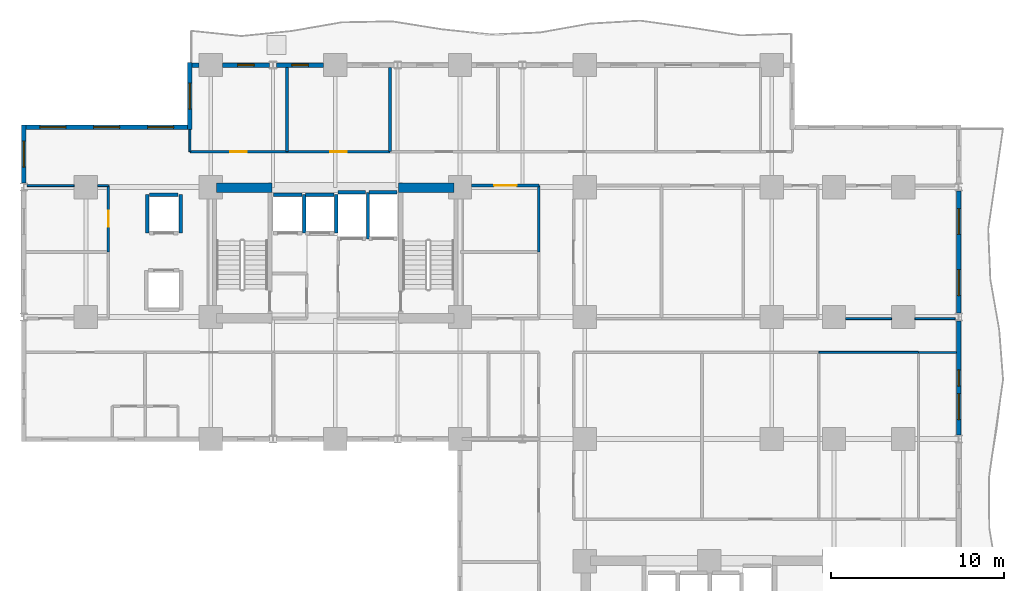
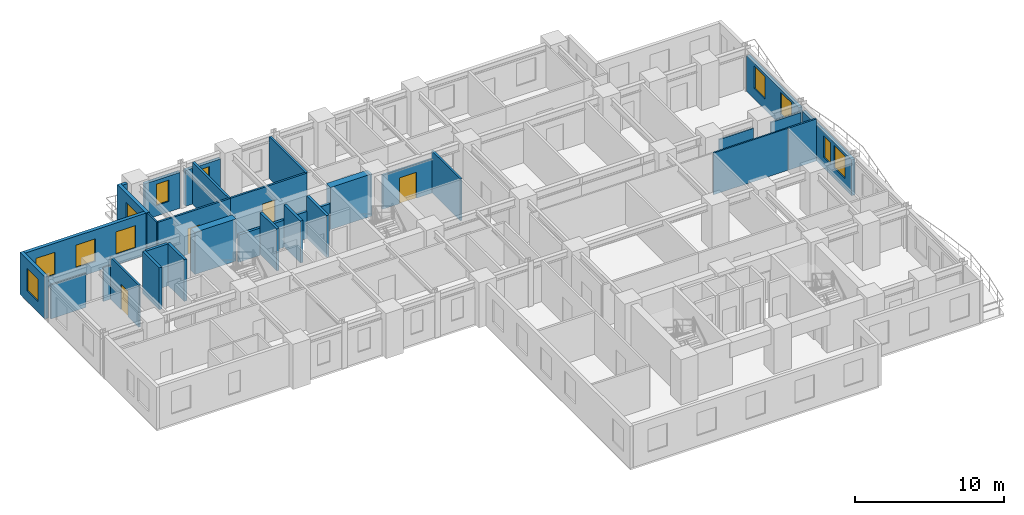
# One storey, part 6 of 11: 34 walls, 11 windows, 4 doors, 15 openings.
"""IFC4 building model written with IfcOpenShell, lengths in metres."""

from ifc_helpers import new_model, si_unit, direction, frame, frame_2d, origin, place, context, subcontext, project, spatial, rectangle, extrude, material, layer, layer_set, type_object, element, fill, save


model = new_model("IFC4")

# Units and contexts
model_context = context("Model", 3, precision=1e-05, world=origin(), true_north=direction((0.0, 1.0)))
body_context = subcontext(model_context, "Body", "Model", "MODEL_VIEW")
ifc_project = project(units=[si_unit("LENGTHUNIT", "METRE"), si_unit("AREAUNIT", "SQUARE_METRE"), si_unit("VOLUMEUNIT", "CUBIC_METRE"), si_unit("PLANEANGLEUNIT", "RADIAN"), si_unit("MASSUNIT", "GRAM", prefix="KILO")], contexts=[model_context])

# Site, building, storey
site_placement = place(None, origin())
site = spatial("IfcSite", under=ifc_project, at=site_placement, CompositionType="ELEMENT")
building_placement = place(site_placement, origin())
building = spatial("IfcBuilding", under=site, at=building_placement, Name="Kaliganga Portal Commons", CompositionType="ELEMENT")
storey_placement = place(building_placement, frame((0.0, 0.0, 54.89990234375)))
storey = spatial("IfcBuildingStorey", under=building, at=storey_placement, Name="L13", CompositionType="ELEMENT", Elevation=54.89990234375)

# Walls
ifc_material_1 = material(Name="Concrete C60/75", Category="concrete")
ifc_layer_1 = layer(ifc_material_1, 0.550048828125)
ifc_layer_set_1 = layer_set([ifc_layer_1], Name="Concrete C60/75")
wall_type_1 = type_object("IfcWallType", Name="WL-CORE-550", PredefinedType="SHEAR", material=ifc_layer_set_1)
for number, where, z_axis, x_axis, name in (
    (1, (14.75, 36.125, 0.0), (0.0, 0.0, 1.0), (1.0, 0.0, 0.0), "Core A N-West Shear Wall L13"),
    (2, (25.25, 36.125, 0.0), (0.0, 0.0, 1.0), (1.0, 0.0, 0.0), "Core A N-East Shear Wall L13"),
):
    element("IfcWall", number, at=place(storey_placement, frame(where, z_axis=z_axis, x_axis=x_axis)), inside=storey, type_object=wall_type_1, Name=name, PredefinedType="SHEAR", context=body_context, shape_type="SweptSolid", body=[
        extrude(rectangle(XDim=3.199951171875, YDim=0.550048828125, at=frame_2d((1.60009765625, 0.0))), origin(), (0.0, 0.0, 1.0), 3.4501953125),
    ])

# Wall, openings, windows
ifc_material_2 = material(Name="Insulated Aluminium-Clad Spandrel Assembly", Category="aluminium")
ifc_layer_2 = layer(ifc_material_2, 0.260009765625)
ifc_layer_set_2 = layer_set([ifc_layer_2], Name="Insulated Aluminium-Clad Spandrel Assembly")
wall_type_2 = type_object("IfcWallType", Name="WL-EXT-SPAND-260", PredefinedType="STANDARD", material=ifc_layer_set_2)
wall_1_placement = place(storey_placement, frame((57.60009765625, 28.426025390625, 0.0), z_axis=(0.0, 0.0, 1.0), x_axis=(0.0, -1.0, 0.0)))
wall_1 = element("IfcWall", 3, at=wall_1_placement, inside=storey, type_object=wall_type_2, Name="Exterior Envelope Wall L13 P1-E03-S4", PredefinedType="STANDARD", context=body_context, shape_type="SweptSolid", body=[
    extrude(rectangle(XDim=6.60205078125, YDim=0.260009765625, at=frame_2d((3.301025390625, 0.0))), origin(), (0.0, 0.0, 1.0), 2.93017578125),
])
opening_1_placement = place(wall_1_placement, frame((4.201416015625, 0.0, 0.85009765625)))
opening_1 = element("IfcOpeningElement", 4, at=opening_1_placement, cuts=wall_1, Name="Opening W-02", PredefinedType="OPENING", context=body_context, shape_type="SweptSolid", body=[
    extrude(rectangle(XDim=1.5, YDim=1.85009765625, at=frame_2d((0.75, 0.925048828125))), frame((0.0, 0.14013671875, 0.0), z_axis=(0.0, -1.0, 0.0), x_axis=(1.0, 0.0, 0.0)), (0.0, 0.0, 1.0), 0.280029296875),
])
opening_2_placement = place(wall_1_placement, frame((2.825927734375, 0.0, 0.85009765625)))
opening_2 = element("IfcOpeningElement", 5, at=opening_2_placement, cuts=wall_1, Name="Opening W-04", PredefinedType="OPENING", context=body_context, shape_type="SweptSolid", body=[
    extrude(rectangle(XDim=0.949951171875, YDim=1.75, at=frame_2d((0.47509765625, 0.875))), frame((0.0, 0.14013671875, 0.0), z_axis=(0.0, -1.0, 0.0), x_axis=(1.0, 0.0, 0.0)), (0.0, 0.0, 1.0), 0.280029296875),
])
ifc_material_3 = material(Name="Thermally Broken Aluminium and Low-E Double Glazing", Category="aluminium")
window_type_1 = type_object("IfcWindowType", Name="WIN-NARROW-950", PartitioningType="SINGLE_PANEL", PredefinedType="WINDOW", material=ifc_material_3)
window_1_placement = place(opening_2_placement, origin())
window_1 = element("IfcWindow", 6, at=window_1_placement, inside=storey, type_object=window_type_1, Name="Facade Window L13-P1E03S4-N0", OverallHeight=1.75, OverallWidth=0.949951171875, PartitioningType="SINGLE_PANEL", PredefinedType="WINDOW", context=body_context, shape_type="SweptSolid", body=[
    extrude(rectangle(XDim=0.949951171875, YDim=1.75, at=frame_2d((0.47509765625, 0.875))), frame((0.0, 0.030029296875, 0.0), z_axis=(0.0, -1.0, 0.0), x_axis=(1.0, 0.0, 0.0)), (0.0, 0.0, 1.0), 0.06005859375),
])
fill(opening_2, window_1)
window_type_2 = type_object("IfcWindowType", Name="WIN-STD-1500", PartitioningType="DOUBLE_PANEL_VERTICAL", PredefinedType="WINDOW", material=ifc_material_3)
window_2_placement = place(opening_1_placement, origin())
window_2 = element("IfcWindow", 7, at=window_2_placement, inside=storey, type_object=window_type_2, Name="Facade Window L13-P1E03S4-01", OverallHeight=1.85009765625, OverallWidth=1.5, PartitioningType="SINGLE_PANEL", PredefinedType="WINDOW", context=body_context, shape_type="SweptSolid", body=[
    extrude(rectangle(XDim=1.5, YDim=1.85009765625, at=frame_2d((0.75, 0.925048828125))), frame((0.0, 0.030029296875, 0.0), z_axis=(0.0, -1.0, 0.0), x_axis=(1.0, 0.0, 0.0)), (0.0, 0.0, 1.0), 0.06005859375),
])
fill(opening_1, window_2)

wall_2_placement = place(storey_placement, frame((57.60009765625, 35.926025390625, 0.0), z_axis=(0.0, 0.0, 1.0), x_axis=(0.0, -1.0, 0.0)))
wall_2 = element("IfcWall", 8, at=wall_2_placement, inside=storey, type_object=wall_type_2, Name="Exterior Envelope Wall L13 P1-E03-S5", PredefinedType="STANDARD", context=body_context, shape_type="SweptSolid", body=[
    extrude(rectangle(XDim=7.052001953125, YDim=0.260009765625, at=frame_2d((3.52587890625, 0.0))), origin(), (0.0, 0.0, 1.0), 2.93017578125),
])
opening_3_placement = place(wall_2_placement, frame((1.012939453125, 0.0, 0.85009765625)))
opening_3 = element("IfcOpeningElement", 9, at=opening_3_placement, cuts=wall_2, Name="Opening W-02", PredefinedType="OPENING", context=body_context, shape_type="SweptSolid", body=[
    extrude(rectangle(XDim=1.5, YDim=1.85009765625, at=frame_2d((0.75, 0.925048828125))), frame((0.0, 0.14013671875, 0.0), z_axis=(0.0, -1.0, 0.0), x_axis=(1.0, 0.0, 0.0)), (0.0, 0.0, 1.0), 0.280029296875),
])
opening_4_placement = place(wall_2_placement, frame((4.5390625, 0.0, 0.85009765625)))
opening_4 = element("IfcOpeningElement", 10, at=opening_4_placement, cuts=wall_2, Name="Opening W-02", PredefinedType="OPENING", context=body_context, shape_type="SweptSolid", body=[
    extrude(rectangle(XDim=1.5, YDim=1.85009765625, at=frame_2d((0.75, 0.925048828125))), frame((0.0, 0.14013671875, 0.0), z_axis=(0.0, -1.0, 0.0), x_axis=(1.0, 0.0, 0.0)), (0.0, 0.0, 1.0), 0.280029296875),
])
window_3_placement = place(opening_3_placement, origin())
window_3 = element("IfcWindow", 11, at=window_3_placement, inside=storey, type_object=window_type_2, Name="Facade Window L13-P1E03S5-00", OverallHeight=1.85009765625, OverallWidth=1.5, PartitioningType="SINGLE_PANEL", PredefinedType="WINDOW", context=body_context, shape_type="SweptSolid", body=[
    extrude(rectangle(XDim=1.5, YDim=1.85009765625, at=frame_2d((0.75, 0.925048828125))), frame((0.0, 0.030029296875, 0.0), z_axis=(0.0, -1.0, 0.0), x_axis=(1.0, 0.0, 0.0)), (0.0, 0.0, 1.0), 0.06005859375),
])
fill(opening_3, window_3)
window_4_placement = place(opening_4_placement, origin())
window_4 = element("IfcWindow", 12, at=window_4_placement, inside=storey, type_object=window_type_2, Name="Facade Window L13-P1E03S5-01", OverallHeight=1.85009765625, OverallWidth=1.5, PartitioningType="SINGLE_PANEL", PredefinedType="WINDOW", context=body_context, shape_type="SweptSolid", body=[
    extrude(rectangle(XDim=1.5, YDim=1.85009765625, at=frame_2d((0.75, 0.925048828125))), frame((0.0, 0.030029296875, 0.0), z_axis=(0.0, -1.0, 0.0), x_axis=(1.0, 0.0, 0.0)), (0.0, 0.0, 1.0), 0.06005859375),
])
fill(opening_4, window_4)

# Wall, opening, window
wall_3_placement = place(storey_placement, frame((18.208984375, 43.199951171875, 0.0), z_axis=(0.0, 0.0, 1.0), x_axis=(1.0, 0.0, 0.0)))
wall_3 = element("IfcWall", 13, at=wall_3_placement, inside=storey, type_object=wall_type_2, Name="Exterior Envelope Wall L13 P1-E06-S7", PredefinedType="STANDARD", context=body_context, shape_type="SweptSolid", body=[
    extrude(rectangle(XDim=2.715087890625, YDim=0.260009765625, at=frame_2d((1.357421875, 0.0))), origin(), (0.0, 0.0, 1.0), 2.93017578125),
])
opening_5_placement = place(wall_3_placement, frame((0.882568359375, 0.0, 0.85009765625)))
opening_5 = element("IfcOpeningElement", 14, at=opening_5_placement, cuts=wall_3, Name="Opening W-04", PredefinedType="OPENING", context=body_context, shape_type="SweptSolid", body=[
    extrude(rectangle(XDim=0.949951171875, YDim=1.75, at=frame_2d((0.47509765625, 0.875))), frame((0.0, 0.14013671875, 0.0), z_axis=(0.0, -1.0, 0.0), x_axis=(1.0, 0.0, 0.0)), (0.0, 0.0, 1.0), 0.280029296875),
])
window_5_placement = place(opening_5_placement, origin())
window_5 = element("IfcWindow", 15, at=window_5_placement, inside=storey, type_object=window_type_1, Name="Facade Window L13-P1E06S7-00", OverallHeight=1.75, OverallWidth=0.949951171875, PartitioningType="SINGLE_PANEL", PredefinedType="WINDOW", context=body_context, shape_type="SweptSolid", body=[
    extrude(rectangle(XDim=0.949951171875, YDim=1.75, at=frame_2d((0.47509765625, 0.875))), frame((0.0, 0.030029296875, 0.0), z_axis=(0.0, -1.0, 0.0), x_axis=(1.0, 0.0, 0.0)), (0.0, 0.0, 1.0), 0.06005859375),
])
fill(opening_5, window_5)

wall_4_placement = place(storey_placement, frame((15.075927734375, 43.199951171875, 0.0), z_axis=(0.0, 0.0, 1.0), x_axis=(1.0, 0.0, 0.0)))
wall_4 = element("IfcWall", 16, at=wall_4_placement, inside=storey, type_object=wall_type_2, Name="Exterior Envelope Wall L13 P1-E06-S8", PredefinedType="STANDARD", context=body_context, shape_type="SweptSolid", body=[
    extrude(rectangle(XDim=2.715087890625, YDim=0.260009765625, at=frame_2d((1.357421875, 0.0))), origin(), (0.0, 0.0, 1.0), 2.93017578125),
])
opening_6_placement = place(wall_4_placement, frame((0.882568359375, 0.0, 0.85009765625)))
opening_6 = element("IfcOpeningElement", 17, at=opening_6_placement, cuts=wall_4, Name="Opening W-04", PredefinedType="OPENING", context=body_context, shape_type="SweptSolid", body=[
    extrude(rectangle(XDim=0.949951171875, YDim=1.75, at=frame_2d((0.47509765625, 0.875))), frame((0.0, 0.14013671875, 0.0), z_axis=(0.0, -1.0, 0.0), x_axis=(1.0, 0.0, 0.0)), (0.0, 0.0, 1.0), 0.280029296875),
])
window_6_placement = place(opening_6_placement, origin())
window_6 = element("IfcWindow", 18, at=window_6_placement, inside=storey, type_object=window_type_1, Name="Facade Window L13-P1E06S8-00", OverallHeight=1.75, OverallWidth=0.949951171875, PartitioningType="SINGLE_PANEL", PredefinedType="WINDOW", context=body_context, shape_type="SweptSolid", body=[
    extrude(rectangle(XDim=0.949951171875, YDim=1.75, at=frame_2d((0.47509765625, 0.875))), frame((0.0, 0.030029296875, 0.0), z_axis=(0.0, -1.0, 0.0), x_axis=(1.0, 0.0, 0.0)), (0.0, 0.0, 1.0), 0.06005859375),
])
fill(opening_6, window_6)

# Wall
wall_5_placement = place(storey_placement, frame((13.3349609375, 43.199951171875, 0.0), z_axis=(0.0, 0.0, 1.0), x_axis=(1.0, 0.0, 0.0)))
element("IfcWall", 19, at=wall_5_placement, inside=storey, type_object=wall_type_2, Name="Exterior Envelope Wall L13 P1-E06-S9", PredefinedType="STANDARD", context=body_context, shape_type="SweptSolid", body=[
    extrude(rectangle(XDim=0.38916015625, YDim=0.260009765625, at=frame_2d((0.194580078125, 0.0))), origin(), (0.0, 0.0, 1.0), 3.43017578125),
])

# Wall, opening, window
wall_6_placement = place(storey_placement, frame((13.199951171875, 39.469970703125, 0.0), z_axis=(0.0, 0.0, 1.0), x_axis=(0.0, 1.0, 0.0)))
wall_6 = element("IfcWall", 20, at=wall_6_placement, inside=storey, type_object=wall_type_2, Name="Exterior Envelope Wall L13 P1-E07-S1", PredefinedType="STANDARD", context=body_context, shape_type="SweptSolid", body=[
    extrude(rectangle(XDim=3.860107421875, YDim=0.260009765625, at=frame_2d((1.93017578125, 0.0))), origin(), (0.0, 0.0, 1.0), 3.43017578125),
])
opening_7_placement = place(wall_6_placement, frame((1.179931640625, 0.0, 0.85009765625)))
opening_7 = element("IfcOpeningElement", 21, at=opening_7_placement, cuts=wall_6, Name="Opening W-02", PredefinedType="OPENING", context=body_context, shape_type="SweptSolid", body=[
    extrude(rectangle(XDim=1.5, YDim=1.85009765625, at=frame_2d((0.75, 0.925048828125))), frame((0.0, 0.14013671875, 0.0), z_axis=(0.0, -1.0, 0.0), x_axis=(1.0, 0.0, 0.0)), (0.0, 0.0, 1.0), 0.280029296875),
])
window_7_placement = place(opening_7_placement, origin())
window_7 = element("IfcWindow", 22, at=window_7_placement, inside=storey, type_object=window_type_2, Name="Facade Window L13-P1E07S1-00", OverallHeight=1.85009765625, OverallWidth=1.5, PartitioningType="SINGLE_PANEL", PredefinedType="WINDOW", context=body_context, shape_type="SweptSolid", body=[
    extrude(rectangle(XDim=1.5, YDim=1.85009765625, at=frame_2d((0.75, 0.925048828125))), frame((0.0, 0.030029296875, 0.0), z_axis=(0.0, -1.0, 0.0), x_axis=(1.0, 0.0, 0.0)), (0.0, 0.0, 1.0), 0.06005859375),
])
fill(opening_7, window_7)

# Wall, openings, windows
wall_7_placement = place(storey_placement, frame((3.735107421875, 39.60009765625, 0.0), z_axis=(0.0, 0.0, 1.0), x_axis=(1.0, 0.0, 0.0)))
wall_7 = element("IfcWall", 23, at=wall_7_placement, inside=storey, type_object=wall_type_2, Name="Exterior Envelope Wall L13 P1-E08-S1", PredefinedType="STANDARD", context=body_context, shape_type="SweptSolid", body=[
    extrude(rectangle(XDim=9.329833984375, YDim=0.260009765625, at=frame_2d((4.6650390625, 0.0))), origin(), (0.0, 0.0, 1.0), 3.43017578125),
])
opening_8_placement = place(wall_7_placement, frame((0.804931640625, 0.0, 0.85009765625)))
opening_8 = element("IfcOpeningElement", 24, at=opening_8_placement, cuts=wall_7, Name="Opening W-02", PredefinedType="OPENING", context=body_context, shape_type="SweptSolid", body=[
    extrude(rectangle(XDim=1.5, YDim=1.85009765625, at=frame_2d((0.75, 0.925048828125))), frame((0.0, 0.14013671875, 0.0), z_axis=(0.0, -1.0, 0.0), x_axis=(1.0, 0.0, 0.0)), (0.0, 0.0, 1.0), 0.280029296875),
])
opening_9_placement = place(wall_7_placement, frame((3.9150390625, 0.0, 0.85009765625)))
opening_9 = element("IfcOpeningElement", 25, at=opening_9_placement, cuts=wall_7, Name="Opening W-02", PredefinedType="OPENING", context=body_context, shape_type="SweptSolid", body=[
    extrude(rectangle(XDim=1.5, YDim=1.85009765625, at=frame_2d((0.75, 0.925048828125))), frame((0.0, 0.14013671875, 0.0), z_axis=(0.0, -1.0, 0.0), x_axis=(1.0, 0.0, 0.0)), (0.0, 0.0, 1.0), 0.280029296875),
])
opening_10_placement = place(wall_7_placement, frame((7.02490234375, 0.0, 0.85009765625)))
opening_10 = element("IfcOpeningElement", 26, at=opening_10_placement, cuts=wall_7, Name="Opening W-02", PredefinedType="OPENING", context=body_context, shape_type="SweptSolid", body=[
    extrude(rectangle(XDim=1.5, YDim=1.85009765625, at=frame_2d((0.75, 0.925048828125))), frame((0.0, 0.14013671875, 0.0), z_axis=(0.0, -1.0, 0.0), x_axis=(1.0, 0.0, 0.0)), (0.0, 0.0, 1.0), 0.280029296875),
])
window_8_placement = place(opening_8_placement, origin())
window_8 = element("IfcWindow", 27, at=window_8_placement, inside=storey, type_object=window_type_2, Name="Facade Window L13-P1E08S1-00", OverallHeight=1.85009765625, OverallWidth=1.5, PartitioningType="SINGLE_PANEL", PredefinedType="WINDOW", context=body_context, shape_type="SweptSolid", body=[
    extrude(rectangle(XDim=1.5, YDim=1.85009765625, at=frame_2d((0.75, 0.925048828125))), frame((0.0, 0.030029296875, 0.0), z_axis=(0.0, -1.0, 0.0), x_axis=(1.0, 0.0, 0.0)), (0.0, 0.0, 1.0), 0.06005859375),
])
fill(opening_8, window_8)
window_9_placement = place(opening_9_placement, origin())
window_9 = element("IfcWindow", 28, at=window_9_placement, inside=storey, type_object=window_type_2, Name="Facade Window L13-P1E08S1-01", OverallHeight=1.85009765625, OverallWidth=1.5, PartitioningType="SINGLE_PANEL", PredefinedType="WINDOW", context=body_context, shape_type="SweptSolid", body=[
    extrude(rectangle(XDim=1.5, YDim=1.85009765625, at=frame_2d((0.75, 0.925048828125))), frame((0.0, 0.030029296875, 0.0), z_axis=(0.0, -1.0, 0.0), x_axis=(1.0, 0.0, 0.0)), (0.0, 0.0, 1.0), 0.06005859375),
])
fill(opening_9, window_9)
window_10_placement = place(opening_10_placement, origin())
window_10 = element("IfcWindow", 29, at=window_10_placement, inside=storey, type_object=window_type_2, Name="Facade Window L13-P1E08S1-02", OverallHeight=1.85009765625, OverallWidth=1.5, PartitioningType="SINGLE_PANEL", PredefinedType="WINDOW", context=body_context, shape_type="SweptSolid", body=[
    extrude(rectangle(XDim=1.5, YDim=1.85009765625, at=frame_2d((0.75, 0.925048828125))), frame((0.0, 0.030029296875, 0.0), z_axis=(0.0, -1.0, 0.0), x_axis=(1.0, 0.0, 0.0)), (0.0, 0.0, 1.0), 0.06005859375),
])
fill(opening_10, window_10)

# Wall, opening, window
wall_8_placement = place(storey_placement, frame((3.60009765625, 36.3740234375, 0.0), z_axis=(0.0, 0.0, 1.0), x_axis=(0.0, 1.0, 0.0)))
wall_8 = element("IfcWall", 30, at=wall_8_placement, inside=storey, type_object=wall_type_2, Name="Exterior Envelope Wall L13 P1-E09-S1", PredefinedType="STANDARD", context=body_context, shape_type="SweptSolid", body=[
    extrude(rectangle(XDim=3.35595703125, YDim=0.260009765625, at=frame_2d((1.677978515625, 0.0))), origin(), (0.0, 0.0, 1.0), 3.43017578125),
])
opening_11_placement = place(wall_8_placement, frame((0.927978515625, 0.0, 0.85009765625)))
opening_11 = element("IfcOpeningElement", 31, at=opening_11_placement, cuts=wall_8, Name="Opening W-02", PredefinedType="OPENING", context=body_context, shape_type="SweptSolid", body=[
    extrude(rectangle(XDim=1.5, YDim=1.85009765625, at=frame_2d((0.75, 0.925048828125))), frame((0.0, 0.14013671875, 0.0), z_axis=(0.0, -1.0, 0.0), x_axis=(1.0, 0.0, 0.0)), (0.0, 0.0, 1.0), 0.280029296875),
])
window_11_placement = place(opening_11_placement, origin())
window_11 = element("IfcWindow", 32, at=window_11_placement, inside=storey, type_object=window_type_2, Name="Facade Window L13-P1E09S1-00", OverallHeight=1.85009765625, OverallWidth=1.5, PartitioningType="SINGLE_PANEL", PredefinedType="WINDOW", context=body_context, shape_type="SweptSolid", body=[
    extrude(rectangle(XDim=1.5, YDim=1.85009765625, at=frame_2d((0.75, 0.925048828125))), frame((0.0, 0.030029296875, 0.0), z_axis=(0.0, -1.0, 0.0), x_axis=(1.0, 0.0, 0.0)), (0.0, 0.0, 1.0), 0.06005859375),
])
fill(opening_11, window_11)

# Wall, opening, door
ifc_material_4 = material(Name="Fire-Rated Gypsum Board on Steel Stud", Category="steel")
ifc_layer_3 = layer(ifc_material_4, 0.14990234375)
ifc_layer_set_3 = layer_set([ifc_layer_3], Name="Fire-Rated Gypsum Board on Steel Stud")
wall_type_3 = type_object("IfcWallType", Name="WL-PART-CORR-150", PredefinedType="PARTITIONING", material=ifc_layer_set_3)
wall_9_placement = place(storey_placement, frame((18.820068359375, 38.199951171875, 0.0), z_axis=(0.0, 0.0, 1.0), x_axis=(1.0, 0.0, 0.0)))
wall_9 = element("IfcWall", 33, at=wall_9_placement, inside=storey, type_object=wall_type_3, Name="Interior Partition L13-025", PredefinedType="PARTITIONING", context=body_context, shape_type="SweptSolid", body=[
    extrude(rectangle(XDim=5.93994140625, YDim=0.14990234375, at=frame_2d((2.969970703125, 0.0))), origin(), (0.0, 0.0, 1.0), 3.43017578125),
])
opening_12_placement = place(wall_9_placement, frame((2.4951171875, 0.0, 0.0)))
opening_12 = element("IfcOpeningElement", 34, at=opening_12_placement, cuts=wall_9, Name="Opening UD-01", PredefinedType="OPENING", context=body_context, shape_type="SweptSolid", body=[
    extrude(rectangle(XDim=0.949951171875, YDim=2.10009765625, at=frame_2d((0.47509765625, 1.050048828125))), frame((0.0, 0.0849609375, 0.0), z_axis=(0.0, -1.0, 0.0), x_axis=(1.0, 0.0, 0.0)), (0.0, 0.0, 1.0), 0.169921875),
])
ifc_material_5 = material(Name="Solid-Core Timber Acoustic Fire Door", Category="wood")
door_type_1 = type_object("IfcDoorType", Name="DR-UNIT-950", OperationType="NOTDEFINED", PredefinedType="DOOR", material=ifc_material_5)
door_1_placement = place(opening_12_placement, origin())
door_1 = element("IfcDoor", 35, at=door_1_placement, inside=storey, type_object=door_type_1, Name="Interior Door L13-AN02", OperationType="SINGLE_SWING_LEFT", OverallHeight=2.10009765625, OverallWidth=0.949951171875, PredefinedType="DOOR", context=body_context, shape_type="SweptSolid", body=[
    extrude(rectangle(XDim=0.949951171875, YDim=2.10009765625, at=frame_2d((0.47509765625, 1.050048828125))), frame((0.0, 0.02490234375, 0.0), z_axis=(0.0, -1.0, 0.0), x_axis=(1.0, 0.0, 0.0)), (0.0, 0.0, 1.0), 0.050048828125),
])
fill(opening_12, door_1)

wall_10_placement = place(storey_placement, frame((13.199951171875, 38.199951171875, 0.0), z_axis=(0.0, 0.0, 1.0), x_axis=(1.0, 0.0, 0.0)))
wall_10 = element("IfcWall", 36, at=wall_10_placement, inside=storey, type_object=wall_type_3, Name="Interior Partition L13-027", PredefinedType="PARTITIONING", context=body_context, shape_type="SweptSolid", body=[
    extrude(rectangle(XDim=5.6201171875, YDim=0.14990234375, at=frame_2d((2.81005859375, 0.0))), origin(), (0.0, 0.0, 1.0), 3.43017578125),
])
opening_13_placement = place(wall_10_placement, frame((2.3349609375, 0.0, 0.0)))
opening_13 = element("IfcOpeningElement", 37, at=opening_13_placement, cuts=wall_10, Name="Opening UD-01", PredefinedType="OPENING", context=body_context, shape_type="SweptSolid", body=[
    extrude(rectangle(XDim=0.949951171875, YDim=2.10009765625, at=frame_2d((0.47509765625, 1.050048828125))), frame((0.0, 0.0849609375, 0.0), z_axis=(0.0, -1.0, 0.0), x_axis=(1.0, 0.0, 0.0)), (0.0, 0.0, 1.0), 0.169921875),
])
door_2_placement = place(opening_13_placement, origin())
door_2 = element("IfcDoor", 38, at=door_2_placement, inside=storey, type_object=door_type_1, Name="Interior Door L13-AN01", OperationType="SINGLE_SWING_LEFT", OverallHeight=2.10009765625, OverallWidth=0.949951171875, PredefinedType="DOOR", context=body_context, shape_type="SweptSolid", body=[
    extrude(rectangle(XDim=0.949951171875, YDim=2.10009765625, at=frame_2d((0.47509765625, 1.050048828125))), frame((0.0, 0.02490234375, 0.0), z_axis=(0.0, -1.0, 0.0), x_axis=(1.0, 0.0, 0.0)), (0.0, 0.0, 1.0), 0.050048828125),
])
fill(opening_13, door_2)

wall_11_placement = place(storey_placement, frame((29.47509765625, 36.239990234375, 0.0), z_axis=(0.0, 0.0, 1.0), x_axis=(1.0, 0.0, 0.0)))
wall_11 = element("IfcWall", 39, at=wall_11_placement, inside=storey, type_object=wall_type_3, Name="Interior Partition L13-035", PredefinedType="PARTITIONING", context=body_context, shape_type="SweptSolid", body=[
    extrude(rectangle(XDim=3.885009765625, YDim=0.14990234375, at=frame_2d((1.9423828125, 0.0))), origin(), (0.0, 0.0, 1.0), 2.780029296875),
])
opening_14_placement = place(wall_11_placement, frame((1.29248046875, 0.0, 0.0)))
opening_14 = element("IfcOpeningElement", 40, at=opening_14_placement, cuts=wall_11, Name="Opening RD-03", PredefinedType="OPENING", context=body_context, shape_type="SweptSolid", body=[
    extrude(rectangle(XDim=1.300048828125, YDim=2.1201171875, at=frame_2d((0.64990234375, 1.06005859375))), frame((0.0, 0.0849609375, 0.0), z_axis=(0.0, -1.0, 0.0), x_axis=(1.0, 0.0, 0.0)), (0.0, 0.0, 1.0), 0.169921875),
])
ifc_material_6 = material(Name="Glazed Timber Seminar Vision Door", Category="wood")
door_type_2 = type_object("IfcDoorType", Name="DR-STUDY-1300", OperationType="DOUBLE_DOOR_SINGLE_SWING", PredefinedType="DOOR", material=ifc_material_6)
door_3_placement = place(opening_14_placement, origin())
door_3 = element("IfcDoor", 41, at=door_3_placement, inside=storey, type_object=door_type_2, Name="Interior Door L13-CSRV_A2", OperationType="DOUBLE_DOOR_SINGLE_SWING", OverallHeight=2.1201171875, OverallWidth=1.300048828125, PredefinedType="DOOR", context=body_context, shape_type="SweptSolid", body=[
    extrude(rectangle(XDim=1.300048828125, YDim=2.1201171875, at=frame_2d((0.64990234375, 1.06005859375))), frame((0.0, 0.02490234375, 0.0), z_axis=(0.0, -1.0, 0.0), x_axis=(1.0, 0.0, 0.0)), (0.0, 0.0, 1.0), 0.050048828125),
])
fill(opening_14, door_3)

wall_12_placement = place(storey_placement, frame((8.5, 32.39990234375, 0.0), z_axis=(0.0, 0.0, 1.0), x_axis=(0.0, 1.0, 0.0)))
wall_12 = element("IfcWall", 42, at=wall_12_placement, inside=storey, type_object=wall_type_3, Name="Interior Partition L13-038", PredefinedType="PARTITIONING", context=body_context, shape_type="SweptSolid", body=[
    extrude(rectangle(XDim=3.840087890625, YDim=0.14990234375, at=frame_2d((1.919921875, 0.0))), origin(), (0.0, 0.0, 1.0), 3.43017578125),
])
opening_15_placement = place(wall_12_placement, frame((1.445068359375, 0.0, 0.0)))
opening_15 = element("IfcOpeningElement", 43, at=opening_15_placement, cuts=wall_12, Name="Opening UD-01", PredefinedType="OPENING", context=body_context, shape_type="SweptSolid", body=[
    extrude(rectangle(XDim=0.949951171875, YDim=2.10009765625, at=frame_2d((0.47509765625, 1.050048828125))), frame((0.0, 0.0849609375, 0.0), z_axis=(0.0, -1.0, 0.0), x_axis=(1.0, 0.0, 0.0)), (0.0, 0.0, 1.0), 0.169921875),
])
door_4_placement = place(opening_15_placement, origin())
door_4 = element("IfcDoor", 44, at=door_4_placement, inside=storey, type_object=door_type_1, Name="Interior Door L13-AW02", OperationType="SINGLE_SWING_LEFT", OverallHeight=2.10009765625, OverallWidth=0.949951171875, PredefinedType="DOOR", context=body_context, shape_type="SweptSolid", body=[
    extrude(rectangle(XDim=0.949951171875, YDim=2.10009765625, at=frame_2d((0.47509765625, 1.050048828125))), frame((0.0, 0.02490234375, 0.0), z_axis=(0.0, -1.0, 0.0), x_axis=(1.0, 0.0, 0.0)), (0.0, 0.0, 1.0), 0.050048828125),
])
fill(opening_15, door_4)

# Walls
wall_13_placement = place(storey_placement, frame((33.360107421875, 32.39990234375, 0.0), z_axis=(0.0, 0.0, 1.0), x_axis=(0.0, 1.0, 0.0)))
element("IfcWall", 45, at=wall_13_placement, inside=storey, type_object=wall_type_3, Name="Interior Partition L13-039", PredefinedType="PARTITIONING", context=body_context, shape_type="SweptSolid", body=[
    extrude(rectangle(XDim=3.840087890625, YDim=0.14990234375, at=frame_2d((1.919921875, 0.0))), origin(), (0.0, 0.0, 1.0), 3.43017578125),
])
ifc_material_7 = material(Name="Moisture-Resistant Gypsum Partition", Category="gypsum")
ifc_layer_4 = layer(ifc_material_7, 0.114990234375)
ifc_layer_set_4 = layer_set([ifc_layer_4], Name="Moisture-Resistant Gypsum Partition")
wall_type_4 = type_object("IfcWallType", Name="WL-PART-ROOM-115", PredefinedType="PARTITIONING", material=ifc_layer_set_4)
wall_14_placement = place(storey_placement, frame((51.074951171875, 28.56005859375, 0.0), z_axis=(0.0, 0.0, 1.0), x_axis=(1.0, 0.0, 0.0)))
element("IfcWall", 46, at=wall_14_placement, inside=storey, type_object=wall_type_4, Name="Interior Partition L13-051", PredefinedType="PARTITIONING", context=body_context, shape_type="SweptSolid", body=[
    extrude(rectangle(XDim=2.650146484375, YDim=0.114990234375, at=frame_2d((1.3251953125, 0.0))), origin(), (0.0, 0.0, 1.0), 2.780029296875),
])
wall_15_placement = place(storey_placement, frame((55.074951171875, 28.56005859375, 0.0), z_axis=(0.0, 0.0, 1.0), x_axis=(1.0, 0.0, 0.0)))
element("IfcWall", 47, at=wall_15_placement, inside=storey, type_object=wall_type_4, Name="Interior Partition L13-052", PredefinedType="PARTITIONING", context=body_context, shape_type="SweptSolid", body=[
    extrude(rectangle(XDim=2.317138671875, YDim=0.114990234375, at=frame_2d((1.15869140625, 0.0))), origin(), (0.0, 0.0, 1.0), 2.780029296875),
])
wall_16_placement = place(storey_placement, frame((49.52001953125, 26.60009765625, 0.0), z_axis=(0.0, 0.0, 1.0), x_axis=(1.0, 0.0, 0.0)))
element("IfcWall", 48, at=wall_16_placement, inside=storey, type_object=wall_type_4, Name="Interior Partition L13-058", PredefinedType="PARTITIONING", context=body_context, shape_type="SweptSolid", body=[
    extrude(rectangle(XDim=5.760009765625, YDim=0.114990234375, at=frame_2d((2.8798828125, 0.0))), origin(), (0.0, 0.0, 1.0), 3.43017578125),
])
wall_17_placement = place(storey_placement, frame((13.199951171875, 38.199951171875, 0.0), z_axis=(0.0, 0.0, 1.0), x_axis=(0.0, 1.0, 0.0)))
element("IfcWall", 49, at=wall_17_placement, inside=storey, type_object=wall_type_4, Name="Interior Partition L13-060", PredefinedType="PARTITIONING", context=body_context, shape_type="SweptSolid", body=[
    extrude(rectangle(XDim=1.26806640625, YDim=0.114990234375, at=frame_2d((0.634033203125, 0.0))), origin(), (0.0, 0.0, 1.0), 3.43017578125),
])
wall_18_placement = place(storey_placement, frame((3.80810546875, 36.239990234375, 0.0), z_axis=(0.0, 0.0, 1.0), x_axis=(1.0, 0.0, 0.0)))
element("IfcWall", 50, at=wall_18_placement, inside=storey, type_object=wall_type_4, Name="Interior Partition L13-070", PredefinedType="PARTITIONING", context=body_context, shape_type="SweptSolid", body=[
    extrude(rectangle(XDim=2.716796875, YDim=0.114990234375, at=frame_2d((1.3583984375, 0.0))), origin(), (0.0, 0.0, 1.0), 2.780029296875),
])
wall_19_placement = place(storey_placement, frame((7.875, 36.239990234375, 0.0), z_axis=(0.0, 0.0, 1.0), x_axis=(1.0, 0.0, 0.0)))
element("IfcWall", 51, at=wall_19_placement, inside=storey, type_object=wall_type_4, Name="Interior Partition L13-071", PredefinedType="PARTITIONING", context=body_context, shape_type="SweptSolid", body=[
    extrude(rectangle(XDim=0.625, YDim=0.114990234375, at=frame_2d((0.3125, 0.0))), origin(), (0.0, 0.0, 1.0), 2.780029296875),
])
ifc_material_8 = material(Name="Twin-Stud Acoustic Gypsum Partition", Category="gypsum")
ifc_layer_5 = layer(ifc_material_8, 0.1650390625)
ifc_layer_set_5 = layer_set([ifc_layer_5], Name="Twin-Stud Acoustic Gypsum Partition")
wall_type_5 = type_object("IfcWallType", Name="WL-PART-UNIT-165", PredefinedType="PARTITIONING", material=ifc_layer_set_5)
for number, where, z_axis, x_axis, name in (
    (52, (18.820068359375, 38.199951171875, 0.0), (0.0, 0.0, 1.0), (0.0, 1.0, 0.0), "Interior Partition L13-062"),
    (53, (24.760009765625, 38.199951171875, 0.0), (0.0, 0.0, 1.0), (0.0, 1.0, 0.0), "Interior Partition L13-063"),
):
    element("IfcWall", number, at=place(storey_placement, frame(where, z_axis=z_axis, x_axis=x_axis)), inside=storey, type_object=wall_type_5, Name=name, PredefinedType="PARTITIONING", context=body_context, shape_type="SweptSolid", body=[
        extrude(rectangle(XDim=4.8681640625, YDim=0.1650390625, at=frame_2d((2.43408203125, 0.0))), origin(), (0.0, 0.0, 1.0), 3.43017578125),
    ])
ifc_material_9 = material(Name="Cement-Board Wet-Room Partition", Category="gypsum")
ifc_layer_6 = layer(ifc_material_9, 0.135009765625)
ifc_layer_set_6 = layer_set([ifc_layer_6], Name="Cement-Board Wet-Room Partition")
wall_type_6 = type_object("IfcWallType", Name="WL-PART-WET-135", PredefinedType="PARTITIONING", material=ifc_layer_set_6)
wall_20_placement = place(storey_placement, frame((55.280029296875, 26.60009765625, 0.0), z_axis=(0.0, 0.0, 1.0), x_axis=(1.0, 0.0, 0.0)))
element("IfcWall", 54, at=wall_20_placement, inside=storey, type_object=wall_type_6, Name="Interior Partition L13-081", PredefinedType="PARTITIONING", context=body_context, shape_type="SweptSolid", body=[
    extrude(rectangle(XDim=2.18798828125, YDim=0.135009765625, at=frame_2d((1.093994140625, 0.0))), origin(), (0.0, 0.0, 1.0), 3.43017578125),
])
ifc_material_10 = material(Name="Fire-Rated Shaftwall Masonry Assembly", Category="masonry")
ifc_layer_7 = layer(ifc_material_10, 0.199951171875)
ifc_layer_set_7 = layer_set([ifc_layer_7], Name="Fire-Rated Shaftwall Masonry Assembly")
wall_type_7 = type_object("IfcWallType", Name="WL-SHAFT-200", PredefinedType="PARTITIONING", material=ifc_layer_set_7)
wall_21_placement = place(storey_placement, frame((18.02490234375, 35.715087890625, 0.0), z_axis=(0.0, 0.0, 1.0), x_axis=(1.0, 0.0, 0.0)))
element("IfcWall", 55, at=wall_21_placement, inside=storey, type_object=wall_type_7, Name="Lift PL-A1 Hoistway Shaft Wall L13-N", PredefinedType="PARTITIONING", context=body_context, shape_type="SweptSolid", body=[
    extrude(rectangle(XDim=1.650146484375, YDim=0.199951171875, at=frame_2d((0.8251953125, 0.0))), origin(), (0.0, 0.0, 1.0), 2.22998046875),
])
wall_22_placement = place(storey_placement, frame((19.81494140625, 33.485107421875, 0.0), z_axis=(0.0, 0.0, 1.0), x_axis=(0.0, 1.0, 0.0)))
element("IfcWall", 56, at=wall_22_placement, inside=storey, type_object=wall_type_7, Name="Lift PL-A1 Hoistway Shaft Wall L13-E", PredefinedType="PARTITIONING", context=body_context, shape_type="SweptSolid", body=[
    extrude(rectangle(XDim=2.22998046875, YDim=0.199951171875, at=frame_2d((1.114990234375, 0.0))), origin(), (0.0, 0.0, 1.0), 3.43017578125),
])
wall_23_placement = place(storey_placement, frame((19.875, 35.715087890625, 0.0), z_axis=(0.0, 0.0, 1.0), x_axis=(1.0, 0.0, 0.0)))
element("IfcWall", 57, at=wall_23_placement, inside=storey, type_object=wall_type_7, Name="Lift PL-A2 Hoistway Shaft Wall L13-N", PredefinedType="PARTITIONING", context=body_context, shape_type="SweptSolid", body=[
    extrude(rectangle(XDim=1.64990234375, YDim=0.199951171875, at=frame_2d((0.824951171875, 0.0))), origin(), (0.0, 0.0, 1.0), 2.22998046875),
])
wall_24_placement = place(storey_placement, frame((21.6650390625, 33.485107421875, 0.0), z_axis=(0.0, 0.0, 1.0), x_axis=(0.0, 1.0, 0.0)))
element("IfcWall", 58, at=wall_24_placement, inside=storey, type_object=wall_type_7, Name="Lift PL-A2 Hoistway Shaft Wall L13-E", PredefinedType="PARTITIONING", context=body_context, shape_type="SweptSolid", body=[
    extrude(rectangle(XDim=2.22998046875, YDim=0.199951171875, at=frame_2d((1.114990234375, 0.0))), origin(), (0.0, 0.0, 1.0), 3.43017578125),
])
wall_25_placement = place(storey_placement, frame((10.875, 35.715087890625, 0.0), z_axis=(0.0, 0.0, 1.0), x_axis=(1.0, 0.0, 0.0)))
element("IfcWall", 59, at=wall_25_placement, inside=storey, type_object=wall_type_7, Name="Lift PL-OBS Hoistway Shaft Wall L13-N", PredefinedType="PARTITIONING", context=body_context, shape_type="SweptSolid", body=[
    extrude(rectangle(XDim=1.64990234375, YDim=0.199951171875, at=frame_2d((0.824951171875, 0.0))), origin(), (0.0, 0.0, 1.0), 3.43017578125),
])
for number, where, z_axis, x_axis, name in (
    (60, (10.735107421875, 33.485107421875, 0.0), (0.0, 0.0, 1.0), (0.0, 1.0, 0.0), "Lift PL-OBS Hoistway Shaft Wall L13-W"),
    (61, (12.6650390625, 33.485107421875, 0.0), (0.0, 0.0, 1.0), (0.0, 1.0, 0.0), "Lift PL-OBS Hoistway Shaft Wall L13-E"),
):
    element("IfcWall", number, at=place(storey_placement, frame(where, z_axis=z_axis, x_axis=x_axis)), inside=storey, type_object=wall_type_7, Name=name, PredefinedType="PARTITIONING", context=body_context, shape_type="SweptSolid", body=[
        extrude(rectangle(XDim=2.22998046875, YDim=0.199951171875, at=frame_2d((1.114990234375, 0.0))), origin(), (0.0, 0.0, 1.0), 3.43017578125),
    ])
wall_26_placement = place(storey_placement, frame((21.75, 35.840087890625, 0.0), z_axis=(0.0, 0.0, 1.0), x_axis=(1.0, 0.0, 0.0)))
element("IfcWall", 62, at=wall_26_placement, inside=storey, type_object=wall_type_7, Name="Lift FFL-1 Hoistway Shaft Wall L13-N", PredefinedType="PARTITIONING", context=body_context, shape_type="SweptSolid", body=[
    extrude(rectangle(XDim=1.60009765625, YDim=0.199951171875, at=frame_2d((0.800048828125, 0.0))), origin(), (0.0, 0.0, 1.0), 2.22998046875),
])
wall_27_placement = place(storey_placement, frame((23.489990234375, 33.159912109375, 0.0), z_axis=(0.0, 0.0, 1.0), x_axis=(0.0, 1.0, 0.0)))
element("IfcWall", 63, at=wall_27_placement, inside=storey, type_object=wall_type_7, Name="Lift FFL-1 Hoistway Shaft Wall L13-E", PredefinedType="PARTITIONING", context=body_context, shape_type="SweptSolid", body=[
    extrude(rectangle(XDim=2.68017578125, YDim=0.199951171875, at=frame_2d((1.340087890625, 0.0))), origin(), (0.0, 0.0, 1.0), 3.43017578125),
])
wall_28_placement = place(storey_placement, frame((23.550048828125, 35.840087890625, 0.0), z_axis=(0.0, 0.0, 1.0), x_axis=(1.0, 0.0, 0.0)))
element("IfcWall", 64, at=wall_28_placement, inside=storey, type_object=wall_type_7, Name="Lift FFL-2 Hoistway Shaft Wall L13-N", PredefinedType="PARTITIONING", context=body_context, shape_type="SweptSolid", body=[
    extrude(rectangle(XDim=1.599853515625, YDim=0.199951171875, at=frame_2d((0.7998046875, 0.0))), origin(), (0.0, 0.0, 1.0), 2.22998046875),
])

save(model, "model.ifc")
